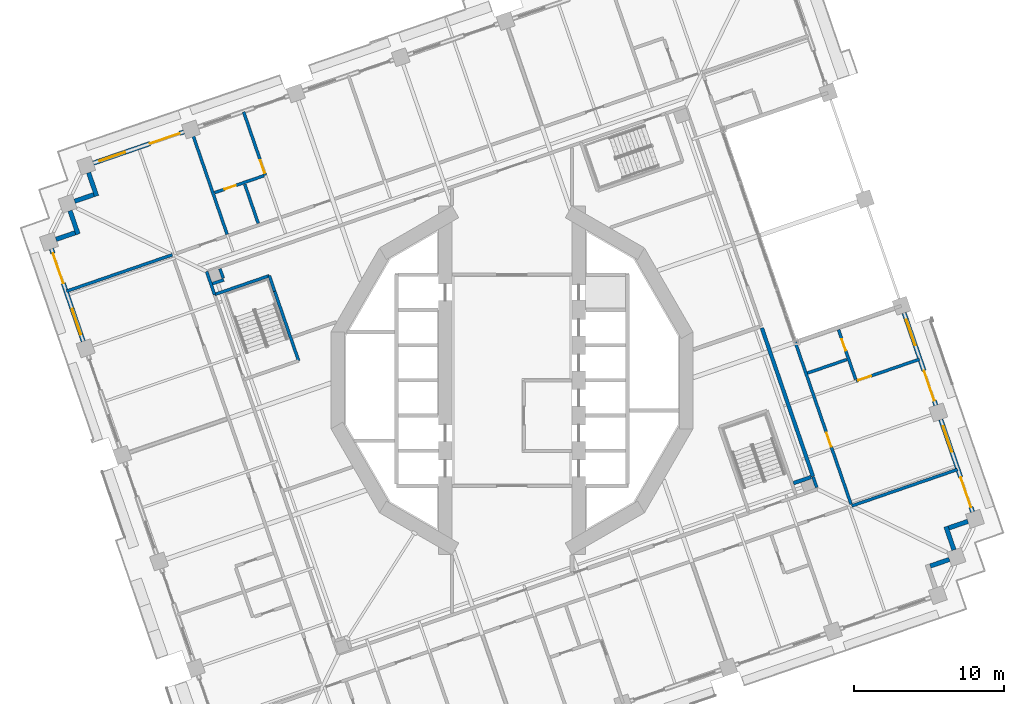
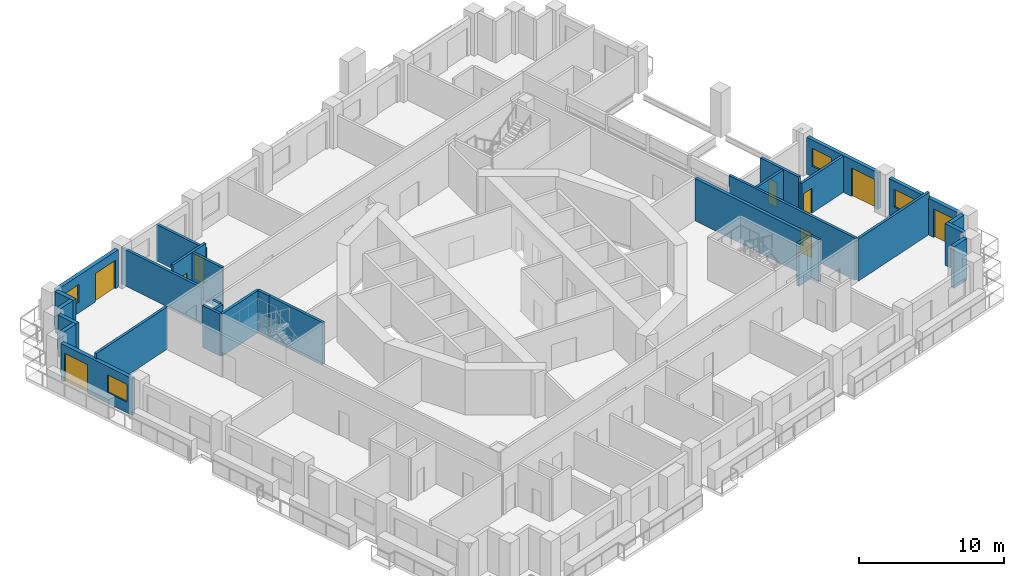
# One storey, part 10 of 19: 30 walls, 9 doors, 4 windows, 13 openings.
"""IFC4 building model written with IfcOpenShell, lengths in metres."""

from ifc_helpers import new_model, si_unit, direction, frame, frame_2d, origin, place, context, subcontext, project, spatial, rectangle, extrude, material, layer, layer_set, type_object, element, fill, save


model = new_model("IFC4")

# Units and contexts
model_context = context("Model", 3, precision=1e-05, world=origin(), true_north=direction((0.0, 1.0)))
body_context = subcontext(model_context, "Body", "Model", "MODEL_VIEW")
ifc_project = project(units=[si_unit("LENGTHUNIT", "METRE"), si_unit("AREAUNIT", "SQUARE_METRE"), si_unit("VOLUMEUNIT", "CUBIC_METRE"), si_unit("PLANEANGLEUNIT", "RADIAN"), si_unit("MASSUNIT", "GRAM", prefix="KILO")], contexts=[model_context])

# Site, building, storey
site_placement = place(None, origin())
site = spatial("IfcSite", under=ifc_project, at=site_placement, CompositionType="ELEMENT")
building_placement = place(site_placement, origin())
building = spatial("IfcBuilding", under=site, at=building_placement, Name="Cantera Rosa Tower", CompositionType="ELEMENT")
storey_placement = place(building_placement, frame((0.0, 0.0, 130.699951171875)))
storey = spatial("IfcBuildingStorey", under=building, at=storey_placement, Name="L27", CompositionType="ELEMENT", Elevation=130.699951171875)

# Walls
ifc_material_1 = material(Name="Gypsum board partition")
ifc_layer_1 = layer(ifc_material_1, 0.199951171875)
ifc_layer_set_1 = layer_set([ifc_layer_1], Name="CORRIDOR WALL 200 H3550")
wall_type_1 = type_object("IfcWallType", Name="CORRIDOR WALL 200 H3550", PredefinedType="PARTITIONING", material=ifc_layer_set_1)
wall_1_placement = place(storey_placement, frame((-20.37451171875, 7.262451171875, 0.0), z_axis=(0.0, 0.0, 1.0), x_axis=(0.325532736599, -0.945530770204, 0.0)))
element("IfcWall", 1, at=wall_1_placement, inside=storey, type_object=wall_type_1, Name="CORRIDOR WALL L27-003", PredefinedType="PARTITIONING", context=body_context, shape_type="SweptSolid", body=[
    extrude(rectangle(XDim=1.626708984375, YDim=0.199951171875, at=frame_2d((0.8134765625, 0.0))), origin(), (0.0, 0.0, 1.0), 3.550048828125),
])
wall_2_placement = place(storey_placement, frame((20.33544921875, -7.14892578125, 0.0), z_axis=(0.0, 0.0, 1.0), x_axis=(-0.32575306004, 0.945454887276, 0.0)))
element("IfcWall", 2, at=wall_2_placement, inside=storey, type_object=wall_type_1, Name="CORRIDOR WALL L27-095", PredefinedType="PARTITIONING", context=body_context, shape_type="SweptSolid", body=[
    extrude(rectangle(XDim=0.760009765625, YDim=0.199951171875, at=frame_2d((0.3798828125, 0.0))), origin(), (0.0, 0.0, 1.0), 3.550048828125),
])

# Wall, opening, door
wall_3_placement = place(storey_placement, frame((22.623291015625, -8.264892578125, 0.0), z_axis=(0.0, 0.0, 1.0), x_axis=(-0.325576165676, 0.945515817077, 0.0)))
wall_3 = element("IfcWall", 3, at=wall_3_placement, inside=storey, type_object=wall_type_1, Name="CORRIDOR WALL L27-098", PredefinedType="PARTITIONING", context=body_context, shape_type="SweptSolid", body=[
    extrude(rectangle(XDim=11.544921875, YDim=0.199951171875, at=frame_2d((5.7724609375, 0.0))), origin(), (0.0, 0.0, 1.0), 3.550048828125),
])
opening_1_placement = place(wall_3_placement, frame((4.050048828125, 0.0, 0.0)))
opening_1 = element("IfcOpeningElement", 4, at=opening_1_placement, cuts=wall_3, Name="Opening L27-015", PredefinedType="OPENING", context=body_context, shape_type="SweptSolid", body=[
    extrude(rectangle(XDim=1.0, YDim=2.10009765625, at=frame_2d((0.5, 1.050048828125))), frame((0.0, 0.10986328125, 0.0), z_axis=(0.0, -1.0, 0.0), x_axis=(1.0, 0.0, 0.0)), (0.0, 0.0, 1.0), 0.219970703125),
])
ifc_material_2 = material(Name="Timber door leaf", Category="wood")
door_type_1 = type_object("IfcDoorType", Name="ENTRANCE DOOR 1000x2100", OperationType="NOTDEFINED", PredefinedType="DOOR", material=ifc_material_2)
door_1_placement = place(opening_1_placement, origin())
door_1 = element("IfcDoor", 5, at=door_1_placement, inside=storey, type_object=door_type_1, Name="DOOR L27-015", OperationType="NOTDEFINED", OverallHeight=2.10009765625, OverallWidth=1.0, PredefinedType="DOOR", context=body_context, shape_type="SweptSolid", body=[
    extrude(rectangle(XDim=1.0, YDim=2.10009765625, at=frame_2d((0.5, 1.050048828125))), frame((0.0, 0.02490234375, 0.0), z_axis=(0.0, -1.0, 0.0), x_axis=(1.0, 0.0, 0.0)), (0.0, 0.0, 1.0), 0.050048828125),
])
fill(opening_1, door_1)

# Walls
ifc_material_3 = material(Name="Hollow clay masonry with cantera stone cladding", Category="masonry")
ifc_layer_2 = layer(ifc_material_3, 0.300048828125)
ifc_layer_set_2 = layer_set([ifc_layer_2], Name="EW-LOGGIA 300")
wall_type_2 = type_object("IfcWallType", Name="EW-LOGGIA 300", PredefinedType="SOLIDWALL", material=ifc_layer_set_2)
wall_4_placement = place(storey_placement, frame((-28.250732421875, 13.857421875, 0.0), z_axis=(0.0, 0.0, 1.0), x_axis=(0.325666906351, -0.945484566827, 0.0)))
element("IfcWall", 6, at=wall_4_placement, inside=storey, type_object=wall_type_2, Name="EN-L27-W14a", PredefinedType="SOLIDWALL", context=body_context, shape_type="SweptSolid", body=[
    extrude(rectangle(XDim=1.64990234375, YDim=0.300048828125, at=frame_2d((0.824951171875, 0.0))), origin(), (0.0, 0.0, 1.0), 3.5),
])
wall_5_placement = place(storey_placement, frame((-27.904052734375, 12.390380859375, 0.0), z_axis=(0.0, 0.0, 1.0), x_axis=(-0.945545797087, -0.325489086777, 0.0)))
element("IfcWall", 7, at=wall_5_placement, inside=storey, type_object=wall_type_2, Name="EN-L27-W14b", PredefinedType="SOLIDWALL", context=body_context, shape_type="SweptSolid", body=[
    extrude(rectangle(XDim=1.35009765625, YDim=0.300048828125, at=frame_2d((0.675048828125, 0.0))), origin(), (0.0, 0.0, 1.0), 3.5),
])
wall_6_placement = place(storey_placement, frame((-29.490478515625, 11.315185546875, 0.0), z_axis=(0.0, 0.0, 1.0), x_axis=(0.32553462645, -0.945530119553, 0.0)))
element("IfcWall", 8, at=wall_6_placement, inside=storey, type_object=wall_type_2, Name="EN-L27-W15a", PredefinedType="SOLIDWALL", context=body_context, shape_type="SweptSolid", body=[
    extrude(rectangle(XDim=1.64990234375, YDim=0.300048828125, at=frame_2d((0.824951171875, 0.0))), origin(), (0.0, 0.0, 1.0), 3.5),
])
wall_7_placement = place(storey_placement, frame((-29.14404296875, 9.84814453125, 0.0), z_axis=(0.0, 0.0, 1.0), x_axis=(-0.945526634763, -0.325544748006, 0.0)))
element("IfcWall", 9, at=wall_7_placement, inside=storey, type_object=wall_type_2, Name="EN-L27-W15b", PredefinedType="SOLIDWALL", context=body_context, shape_type="SweptSolid", body=[
    extrude(rectangle(XDim=1.349853515625, YDim=0.300048828125, at=frame_2d((0.6748046875, 0.0))), origin(), (0.0, 0.0, 1.0), 3.5),
])
wall_8_placement = place(storey_placement, frame((27.904052734375, -12.390380859375, 0.0), z_axis=(0.0, 0.0, 1.0), x_axis=(0.945545797087, 0.325489086777, 0.0)))
element("IfcWall", 10, at=wall_8_placement, inside=storey, type_object=wall_type_2, Name="EN-L27-W29b", PredefinedType="SOLIDWALL", context=body_context, shape_type="SweptSolid", body=[
    extrude(rectangle(XDim=1.35009765625, YDim=0.300048828125, at=frame_2d((0.675048828125, 0.0))), origin(), (0.0, 0.0, 1.0), 3.5),
])
wall_9_placement = place(storey_placement, frame((29.490478515625, -11.315185546875, 0.0), z_axis=(0.0, 0.0, 1.0), x_axis=(-0.32553462645, 0.945530119553, 0.0)))
element("IfcWall", 11, at=wall_9_placement, inside=storey, type_object=wall_type_2, Name="EN-L27-W30a", PredefinedType="SOLIDWALL", context=body_context, shape_type="SweptSolid", body=[
    extrude(rectangle(XDim=1.64990234375, YDim=0.300048828125, at=frame_2d((0.824951171875, 0.0))), origin(), (0.0, 0.0, 1.0), 3.5),
])
wall_10_placement = place(storey_placement, frame((29.14404296875, -9.84814453125, 0.0), z_axis=(0.0, 0.0, 1.0), x_axis=(0.945526634763, 0.325544748006, 0.0)))
element("IfcWall", 12, at=wall_10_placement, inside=storey, type_object=wall_type_2, Name="EN-L27-W30b", PredefinedType="SOLIDWALL", context=body_context, shape_type="SweptSolid", body=[
    extrude(rectangle(XDim=1.349853515625, YDim=0.300048828125, at=frame_2d((0.6748046875, 0.0))), origin(), (0.0, 0.0, 1.0), 3.5),
])

# Wall, openings, window, door
ifc_material_4 = material(Name="Hollow clay masonry with cantera stone cladding", Category="masonry")
ifc_layer_3 = layer(ifc_material_4, 0.300048828125)
ifc_layer_set_3 = layer_set([ifc_layer_3], Name="EW-LOGGIA 300 H3090")
wall_type_3 = type_object("IfcWallType", Name="EW-LOGGIA 300 H3090", PredefinedType="SOLIDWALL", material=ifc_layer_set_3)
wall_11_placement = place(storey_placement, frame((30.73046875, -8.773193359375, 0.0), z_axis=(0.0, 0.0, 1.0), x_axis=(-0.325580990241, 0.945514155787, 0.0)))
wall_11 = element("IfcWall", 13, at=wall_11_placement, inside=storey, type_object=wall_type_3, Name="EN-L27-W01", PredefinedType="SOLIDWALL", context=body_context, shape_type="SweptSolid", body=[
    extrude(rectangle(XDim=6.52001953125, YDim=0.300048828125, at=frame_2d((3.260009765625, 0.0))), origin(), (0.0, 0.0, 1.0), 3.090087890625),
])
opening_2_placement = place(wall_11_placement, frame((0.330078125, 0.0, 0.0)))
opening_2 = element("IfcOpeningElement", 14, at=opening_2_placement, cuts=wall_11, Name="Opening L27-TD01", PredefinedType="OPENING", context=body_context, shape_type="SweptSolid", body=[
    extrude(rectangle(XDim=2.10009765625, YDim=2.39990234375, at=frame_2d((1.050048828125, 1.199951171875))), frame((0.0, 0.159912109375, 0.0), z_axis=(0.0, -1.0, 0.0), x_axis=(1.0, 0.0, 0.0)), (0.0, 0.0, 1.0), 0.320068359375),
])
opening_3_placement = place(wall_11_placement, frame((4.239990234375, 0.0, 0.89990234375)))
opening_3 = element("IfcOpeningElement", 15, at=opening_3_placement, cuts=wall_11, Name="Opening L27-W02", PredefinedType="OPENING", context=body_context, shape_type="SweptSolid", body=[
    extrude(rectangle(XDim=1.800048828125, YDim=1.5, at=frame_2d((0.89990234375, 0.75))), frame((0.0, 0.159912109375, 0.0), z_axis=(0.0, -1.0, 0.0), x_axis=(1.0, 0.0, 0.0)), (0.0, 0.0, 1.0), 0.320068359375),
])
ifc_material_5 = material(Name="Aluminium frame with clear glass", Category="aluminium")
window_type = type_object("IfcWindowType", Name="Hotel room window 1800x1500", PartitioningType="DOUBLE_PANEL_VERTICAL", PredefinedType="WINDOW", material=ifc_material_5)
window_1_placement = place(opening_3_placement, origin())
window_1 = element("IfcWindow", 16, at=window_1_placement, inside=storey, type_object=window_type, Name="WINDOW L27-W02", OverallHeight=1.5, OverallWidth=1.800048828125, PartitioningType="SINGLE_PANEL", PredefinedType="WINDOW", context=body_context, shape_type="SweptSolid", body=[
    extrude(rectangle(XDim=1.800048828125, YDim=1.5, at=frame_2d((0.89990234375, 0.75))), frame((0.0, 0.030029296875, 0.0), z_axis=(0.0, -1.0, 0.0), x_axis=(1.0, 0.0, 0.0)), (0.0, 0.0, 1.0), 0.06005859375),
])
fill(opening_3, window_1)
ifc_material_6 = material(Name="Aluminium frame with clear glass", Category="aluminium")
door_type_2 = type_object("IfcDoorType", Name="TD-H 2100x2400", OperationType="NOTDEFINED", PredefinedType="DOOR", material=ifc_material_6)
door_2_placement = place(opening_2_placement, origin())
door_2 = element("IfcDoor", 17, at=door_2_placement, inside=storey, type_object=door_type_2, Name="LOGGIA DOOR L27-TD01", OperationType="SLIDING_TO_LEFT", OverallHeight=2.39990234375, OverallWidth=2.10009765625, PredefinedType="DOOR", context=body_context, shape_type="SweptSolid", body=[
    extrude(rectangle(XDim=2.10009765625, YDim=2.39990234375, at=frame_2d((1.050048828125, 1.199951171875))), frame((0.0, 0.02490234375, 0.0), z_axis=(0.0, -1.0, 0.0), x_axis=(1.0, 0.0, 0.0)), (0.0, 0.0, 1.0), 0.050048828125),
])
fill(opening_2, door_2)

wall_12_placement = place(storey_placement, frame((28.2822265625, -1.662841796875, 0.0), z_axis=(0.0, 0.0, 1.0), x_axis=(-0.325580990241, 0.945514155787, 0.0)))
wall_12 = element("IfcWall", 18, at=wall_12_placement, inside=storey, type_object=wall_type_3, Name="EN-L27-W02", PredefinedType="SOLIDWALL", context=body_context, shape_type="SweptSolid", body=[
    extrude(rectangle(XDim=6.52001953125, YDim=0.300048828125, at=frame_2d((3.260009765625, 0.0))), origin(), (0.0, 0.0, 1.0), 3.090087890625),
])
opening_4_placement = place(wall_12_placement, frame((0.330078125, 0.0, 0.0)))
opening_4 = element("IfcOpeningElement", 19, at=opening_4_placement, cuts=wall_12, Name="Opening L27-TD03", PredefinedType="OPENING", context=body_context, shape_type="SweptSolid", body=[
    extrude(rectangle(XDim=2.10009765625, YDim=2.39990234375, at=frame_2d((1.050048828125, 1.199951171875))), frame((0.0, 0.159912109375, 0.0), z_axis=(0.0, -1.0, 0.0), x_axis=(1.0, 0.0, 0.0)), (0.0, 0.0, 1.0), 0.320068359375),
])
opening_5_placement = place(wall_12_placement, frame((4.239990234375, 0.0, 0.89990234375)))
opening_5 = element("IfcOpeningElement", 20, at=opening_5_placement, cuts=wall_12, Name="Opening L27-W04", PredefinedType="OPENING", context=body_context, shape_type="SweptSolid", body=[
    extrude(rectangle(XDim=1.800048828125, YDim=1.5, at=frame_2d((0.89990234375, 0.75))), frame((0.0, 0.159912109375, 0.0), z_axis=(0.0, -1.0, 0.0), x_axis=(1.0, 0.0, 0.0)), (0.0, 0.0, 1.0), 0.320068359375),
])
window_2_placement = place(opening_5_placement, origin())
window_2 = element("IfcWindow", 21, at=window_2_placement, inside=storey, type_object=window_type, Name="WINDOW L27-W04", OverallHeight=1.5, OverallWidth=1.800048828125, PartitioningType="SINGLE_PANEL", PredefinedType="WINDOW", context=body_context, shape_type="SweptSolid", body=[
    extrude(rectangle(XDim=1.800048828125, YDim=1.5, at=frame_2d((0.89990234375, 0.75))), frame((0.0, 0.030029296875, 0.0), z_axis=(0.0, -1.0, 0.0), x_axis=(1.0, 0.0, 0.0)), (0.0, 0.0, 1.0), 0.06005859375),
])
fill(opening_5, window_2)
door_3_placement = place(opening_4_placement, origin())
door_3 = element("IfcDoor", 22, at=door_3_placement, inside=storey, type_object=door_type_2, Name="LOGGIA DOOR L27-TD03", OperationType="SLIDING_TO_LEFT", OverallHeight=2.39990234375, OverallWidth=2.10009765625, PredefinedType="DOOR", context=body_context, shape_type="SweptSolid", body=[
    extrude(rectangle(XDim=2.10009765625, YDim=2.39990234375, at=frame_2d((1.050048828125, 1.199951171875))), frame((0.0, 0.02490234375, 0.0), z_axis=(0.0, -1.0, 0.0), x_axis=(1.0, 0.0, 0.0)), (0.0, 0.0, 1.0), 0.050048828125),
])
fill(opening_4, door_3)

wall_13_placement = place(storey_placement, frame((-30.73046875, 8.773193359375, 0.0), z_axis=(0.0, 0.0, 1.0), x_axis=(0.325580990241, -0.945514155787, 0.0)))
wall_13 = element("IfcWall", 23, at=wall_13_placement, inside=storey, type_object=wall_type_3, Name="EN-L27-W16", PredefinedType="SOLIDWALL", context=body_context, shape_type="SweptSolid", body=[
    extrude(rectangle(XDim=6.52001953125, YDim=0.300048828125, at=frame_2d((3.260009765625, 0.0))), origin(), (0.0, 0.0, 1.0), 3.090087890625),
])
opening_6_placement = place(wall_13_placement, frame((0.330078125, 0.0, 0.0)))
opening_6 = element("IfcOpeningElement", 24, at=opening_6_placement, cuts=wall_13, Name="Opening L27-TD19", PredefinedType="OPENING", context=body_context, shape_type="SweptSolid", body=[
    extrude(rectangle(XDim=2.10009765625, YDim=2.39990234375, at=frame_2d((1.050048828125, 1.199951171875))), frame((0.0, 0.159912109375, 0.0), z_axis=(0.0, -1.0, 0.0), x_axis=(1.0, 0.0, 0.0)), (0.0, 0.0, 1.0), 0.320068359375),
])
opening_7_placement = place(wall_13_placement, frame((4.239990234375, 0.0, 0.89990234375)))
opening_7 = element("IfcOpeningElement", 25, at=opening_7_placement, cuts=wall_13, Name="Opening L27-W20", PredefinedType="OPENING", context=body_context, shape_type="SweptSolid", body=[
    extrude(rectangle(XDim=1.800048828125, YDim=1.5, at=frame_2d((0.89990234375, 0.75))), frame((0.0, 0.159912109375, 0.0), z_axis=(0.0, -1.0, 0.0), x_axis=(1.0, 0.0, 0.0)), (0.0, 0.0, 1.0), 0.320068359375),
])
window_3_placement = place(opening_7_placement, origin())
window_3 = element("IfcWindow", 26, at=window_3_placement, inside=storey, type_object=window_type, Name="WINDOW L27-W20", OverallHeight=1.5, OverallWidth=1.800048828125, PartitioningType="SINGLE_PANEL", PredefinedType="WINDOW", context=body_context, shape_type="SweptSolid", body=[
    extrude(rectangle(XDim=1.800048828125, YDim=1.5, at=frame_2d((0.89990234375, 0.75))), frame((0.0, 0.030029296875, 0.0), z_axis=(0.0, -1.0, 0.0), x_axis=(1.0, 0.0, 0.0)), (0.0, 0.0, 1.0), 0.06005859375),
])
fill(opening_7, window_3)
door_4_placement = place(opening_6_placement, origin())
door_4 = element("IfcDoor", 27, at=door_4_placement, inside=storey, type_object=door_type_2, Name="LOGGIA DOOR L27-TD19", OperationType="SLIDING_TO_LEFT", OverallHeight=2.39990234375, OverallWidth=2.10009765625, PredefinedType="DOOR", context=body_context, shape_type="SweptSolid", body=[
    extrude(rectangle(XDim=2.10009765625, YDim=2.39990234375, at=frame_2d((1.050048828125, 1.199951171875))), frame((0.0, 0.02490234375, 0.0), z_axis=(0.0, -1.0, 0.0), x_axis=(1.0, 0.0, 0.0)), (0.0, 0.0, 1.0), 0.050048828125),
])
fill(opening_6, door_4)

ifc_material_7 = material(Name="Hollow clay masonry with cantera stone cladding", Category="masonry")
ifc_layer_4 = layer(ifc_material_7, 0.300048828125)
ifc_layer_set_4 = layer_set([ifc_layer_4], Name="EW-LOGGIA 300 H3140")
wall_type_4 = type_object("IfcWallType", Name="EW-LOGGIA 300 H3140", PredefinedType="SOLIDWALL", material=ifc_layer_set_4)
wall_14_placement = place(storey_placement, frame((-21.889404296875, 16.57666015625, 0.0), z_axis=(0.0, 0.0, 1.0), x_axis=(-0.945512753621, -0.325585062219, 0.0)))
wall_14 = element("IfcWall", 28, at=wall_14_placement, inside=storey, type_object=wall_type_4, Name="EN-L27-W13", PredefinedType="SOLIDWALL", context=body_context, shape_type="SweptSolid", body=[
    extrude(rectangle(XDim=6.39990234375, YDim=0.300048828125, at=frame_2d((3.199951171875, 0.0))), origin(), (0.0, 0.0, 1.0), 3.14013671875),
])
opening_8_placement = place(wall_14_placement, frame((0.300048828125, 0.0, 0.0)))
opening_8 = element("IfcOpeningElement", 29, at=opening_8_placement, cuts=wall_14, Name="Opening L27-TD17", PredefinedType="OPENING", context=body_context, shape_type="SweptSolid", body=[
    extrude(rectangle(XDim=2.10009765625, YDim=2.39990234375, at=frame_2d((1.050048828125, 1.199951171875))), frame((0.0, 0.159912109375, 0.0), z_axis=(0.0, -1.0, 0.0), x_axis=(1.0, 0.0, 0.0)), (0.0, 0.0, 1.0), 0.320068359375),
])
opening_9_placement = place(wall_14_placement, frame((4.14990234375, 0.0, 0.89990234375)))
opening_9 = element("IfcOpeningElement", 30, at=opening_9_placement, cuts=wall_14, Name="Opening L27-W18", PredefinedType="OPENING", context=body_context, shape_type="SweptSolid", body=[
    extrude(rectangle(XDim=1.800048828125, YDim=1.5, at=frame_2d((0.89990234375, 0.75))), frame((0.0, 0.159912109375, 0.0), z_axis=(0.0, -1.0, 0.0), x_axis=(1.0, 0.0, 0.0)), (0.0, 0.0, 1.0), 0.320068359375),
])
window_4_placement = place(opening_9_placement, origin())
window_4 = element("IfcWindow", 31, at=window_4_placement, inside=storey, type_object=window_type, Name="WINDOW L27-W18", OverallHeight=1.5, OverallWidth=1.800048828125, PartitioningType="SINGLE_PANEL", PredefinedType="WINDOW", context=body_context, shape_type="SweptSolid", body=[
    extrude(rectangle(XDim=1.800048828125, YDim=1.5, at=frame_2d((0.89990234375, 0.75))), frame((0.0, 0.030029296875, 0.0), z_axis=(0.0, -1.0, 0.0), x_axis=(1.0, 0.0, 0.0)), (0.0, 0.0, 1.0), 0.06005859375),
])
fill(opening_9, window_4)
door_5_placement = place(opening_8_placement, origin())
door_5 = element("IfcDoor", 32, at=door_5_placement, inside=storey, type_object=door_type_2, Name="LOGGIA DOOR L27-TD17", OperationType="SLIDING_TO_LEFT", OverallHeight=2.39990234375, OverallWidth=2.10009765625, PredefinedType="DOOR", context=body_context, shape_type="SweptSolid", body=[
    extrude(rectangle(XDim=2.10009765625, YDim=2.39990234375, at=frame_2d((1.050048828125, 1.199951171875))), frame((0.0, 0.02490234375, 0.0), z_axis=(0.0, -1.0, 0.0), x_axis=(1.0, 0.0, 0.0)), (0.0, 0.0, 1.0), 0.050048828125),
])
fill(opening_8, door_5)

# Wall, opening, door
ifc_material_8 = material(Name="Gypsum board partition")
ifc_layer_5 = layer(ifc_material_8, 0.199951171875)
ifc_layer_set_5 = layer_set([ifc_layer_5], Name="PARTITION 200 H3050")
wall_type_5 = type_object("IfcWallType", Name="PARTITION 200 H3050", PredefinedType="PARTITIONING", material=ifc_layer_set_5)
wall_15_placement = place(storey_placement, frame((-17.908447265625, 17.915771484375, 0.0), z_axis=(0.0, 0.0, 1.0), x_axis=(0.325568171973, -0.945518569568, 0.0)))
wall_15 = element("IfcWall", 33, at=wall_15_placement, inside=storey, type_object=wall_type_5, Name="PARTITION L27-011", PredefinedType="PARTITIONING", context=body_context, shape_type="SweptSolid", body=[
    extrude(rectangle(XDim=4.47021484375, YDim=0.199951171875, at=frame_2d((2.235107421875, 0.0))), origin(), (0.0, 0.0, 1.0), 3.050048828125),
])
opening_10_placement = place(wall_15_placement, frame((3.419921875, 0.0, 0.0)))
opening_10 = element("IfcOpeningElement", 34, at=opening_10_placement, cuts=wall_15, Name="Opening L27-022", PredefinedType="OPENING", context=body_context, shape_type="SweptSolid", body=[
    extrude(rectangle(XDim=0.89990234375, YDim=2.10009765625, at=frame_2d((0.449951171875, 1.050048828125))), frame((0.0, 0.10986328125, 0.0), z_axis=(0.0, -1.0, 0.0), x_axis=(1.0, 0.0, 0.0)), (0.0, 0.0, 1.0), 0.219970703125),
])
ifc_material_9 = material(Name="Timber door leaf", Category="wood")
door_type_3 = type_object("IfcDoorType", Name="ROOM DOOR 900x2100", OperationType="NOTDEFINED", PredefinedType="DOOR", material=ifc_material_9)
door_6_placement = place(opening_10_placement, origin())
door_6 = element("IfcDoor", 35, at=door_6_placement, inside=storey, type_object=door_type_3, Name="DOOR L27-022", OperationType="NOTDEFINED", OverallHeight=2.10009765625, OverallWidth=0.89990234375, PredefinedType="DOOR", context=body_context, shape_type="SweptSolid", body=[
    extrude(rectangle(XDim=0.89990234375, YDim=2.10009765625, at=frame_2d((0.449951171875, 1.050048828125))), frame((0.0, 0.02490234375, 0.0), z_axis=(0.0, -1.0, 0.0), x_axis=(1.0, 0.0, 0.0)), (0.0, 0.0, 1.0), 0.050048828125),
])
fill(opening_10, door_6)

wall_16_placement = place(storey_placement, frame((27.1923828125, 1.409912109375, 0.0), z_axis=(0.0, 0.0, 1.0), x_axis=(-0.945512780078, -0.325584985388, 0.0)))
wall_16 = element("IfcWall", 36, at=wall_16_placement, inside=storey, type_object=wall_type_5, Name="PARTITION L27-104", PredefinedType="PARTITIONING", context=body_context, shape_type="SweptSolid", body=[
    extrude(rectangle(XDim=4.469970703125, YDim=0.199951171875, at=frame_2d((2.23486328125, 0.0))), origin(), (0.0, 0.0, 1.0), 3.050048828125),
])
opening_11_placement = place(wall_16_placement, frame((3.419921875, 0.0, 0.0)))
opening_11 = element("IfcOpeningElement", 37, at=opening_11_placement, cuts=wall_16, Name="Opening L27-016", PredefinedType="OPENING", context=body_context, shape_type="SweptSolid", body=[
    extrude(rectangle(XDim=0.89990234375, YDim=2.10009765625, at=frame_2d((0.449951171875, 1.050048828125))), frame((0.0, 0.10986328125, 0.0), z_axis=(0.0, -1.0, 0.0), x_axis=(1.0, 0.0, 0.0)), (0.0, 0.0, 1.0), 0.219970703125),
])
door_7_placement = place(opening_11_placement, origin())
door_7 = element("IfcDoor", 38, at=door_7_placement, inside=storey, type_object=door_type_3, Name="DOOR L27-016", OperationType="NOTDEFINED", OverallHeight=2.10009765625, OverallWidth=0.89990234375, PredefinedType="DOOR", context=body_context, shape_type="SweptSolid", body=[
    extrude(rectangle(XDim=0.89990234375, YDim=2.10009765625, at=frame_2d((0.449951171875, 1.050048828125))), frame((0.0, 0.02490234375, 0.0), z_axis=(0.0, -1.0, 0.0), x_axis=(1.0, 0.0, 0.0)), (0.0, 0.0, 1.0), 0.050048828125),
])
fill(opening_11, door_7)

# Walls
ifc_material_10 = material(Name="Gypsum board partition")
ifc_layer_6 = layer(ifc_material_10, 0.199951171875)
ifc_layer_set_6 = layer_set([ifc_layer_6], Name="PARTITION 200 H3550")
wall_type_6 = type_object("IfcWallType", Name="PARTITION 200 H3550", PredefinedType="PARTITIONING", material=ifc_layer_set_6)
wall_17_placement = place(storey_placement, frame((-22.662353515625, 8.37841796875, 0.0), z_axis=(0.0, 0.0, 1.0), x_axis=(-0.945512517373, -0.325585748291, 0.0)))
element("IfcWall", 39, at=wall_17_placement, inside=storey, type_object=wall_type_6, Name="PARTITION L27-001", PredefinedType="PARTITIONING", context=body_context, shape_type="SweptSolid", body=[
    extrude(rectangle(XDim=7.469970703125, YDim=0.199951171875, at=frame_2d((3.73486328125, 0.0))), origin(), (0.0, 0.0, 1.0), 3.550048828125),
])
wall_18_placement = place(storey_placement, frame((-19.98681640625, 6.444091796875, 0.0), z_axis=(0.0, 0.0, 1.0), x_axis=(0.945586856903, 0.325369783557, 0.0)))
element("IfcWall", 40, at=wall_18_placement, inside=storey, type_object=wall_type_6, Name="PARTITION L27-004", PredefinedType="PARTITIONING", context=body_context, shape_type="SweptSolid", body=[
    extrude(rectangle(XDim=0.7998046875, YDim=0.199951171875, at=frame_2d((0.39990234375, 0.0))), origin(), (0.0, 0.0, 1.0), 3.550048828125),
])
wall_19_placement = place(storey_placement, frame((-19.26953125, 6.81787109375, 0.0), z_axis=(0.0, 0.0, 1.0), x_axis=(-0.32553462645, 0.945530119553, 0.0)))
element("IfcWall", 41, at=wall_19_placement, inside=storey, type_object=wall_type_6, Name="PARTITION L27-007", PredefinedType="PARTITIONING", context=body_context, shape_type="SweptSolid", body=[
    extrude(rectangle(XDim=0.659912109375, YDim=0.199951171875, at=frame_2d((0.330078125, 0.0))), origin(), (0.0, 0.0, 1.0), 3.550048828125),
])
wall_20_placement = place(storey_placement, frame((-17.83251953125, 13.08740234375, 0.0), z_axis=(0.0, 0.0, 1.0), x_axis=(0.325606281984, -0.945505446379, 0.0)))
element("IfcWall", 42, at=wall_20_placement, inside=storey, type_object=wall_type_6, Name="PARTITION L27-014", PredefinedType="PARTITIONING", context=body_context, shape_type="SweptSolid", body=[
    extrude(rectangle(XDim=2.760009765625, YDim=0.199951171875, at=frame_2d((1.3798828125, 0.0))), origin(), (0.0, 0.0, 1.0), 3.550048828125),
])

# Wall, opening, door
wall_21_placement = place(storey_placement, frame((-16.547607421875, 13.656494140625, 0.0), z_axis=(0.0, 0.0, 1.0), x_axis=(-0.945536877918, -0.325514995811, 0.0)))
wall_21 = element("IfcWall", 43, at=wall_21_placement, inside=storey, type_object=wall_type_6, Name="PARTITION L27-016", PredefinedType="PARTITIONING", context=body_context, shape_type="SweptSolid", body=[
    extrude(rectangle(XDim=3.47998046875, YDim=0.199951171875, at=frame_2d((1.739990234375, 0.0))), origin(), (0.0, 0.0, 1.0), 3.550048828125),
])
opening_12_placement = place(wall_21_placement, frame((1.989990234375, 0.0, 0.0)))
opening_12 = element("IfcOpeningElement", 44, at=opening_12_placement, cuts=wall_21, Name="Opening L27-023", PredefinedType="OPENING", context=body_context, shape_type="SweptSolid", body=[
    extrude(rectangle(XDim=0.800048828125, YDim=2.10009765625, at=frame_2d((0.39990234375, 1.050048828125))), frame((0.0, 0.10986328125, 0.0), z_axis=(0.0, -1.0, 0.0), x_axis=(1.0, 0.0, 0.0)), (0.0, 0.0, 1.0), 0.219970703125),
])
ifc_material_11 = material(Name="Timber door leaf", Category="wood")
door_type_4 = type_object("IfcDoorType", Name="BATHROOM DOOR 800x2100", OperationType="NOTDEFINED", PredefinedType="DOOR", material=ifc_material_11)
door_8_placement = place(opening_12_placement, origin())
door_8 = element("IfcDoor", 45, at=door_8_placement, inside=storey, type_object=door_type_4, Name="DOOR L27-023", OperationType="NOTDEFINED", OverallHeight=2.10009765625, OverallWidth=0.800048828125, PredefinedType="DOOR", context=body_context, shape_type="SweptSolid", body=[
    extrude(rectangle(XDim=0.800048828125, YDim=2.10009765625, at=frame_2d((0.39990234375, 1.050048828125))), frame((0.0, 0.02490234375, 0.0), z_axis=(0.0, -1.0, 0.0), x_axis=(1.0, 0.0, 0.0)), (0.0, 0.0, 1.0), 0.050048828125),
])
fill(opening_12, door_8)

# Wall
wall_22_placement = place(storey_placement, frame((22.3447265625, 1.390380859375, 0.0), z_axis=(0.0, 0.0, 1.0), x_axis=(-0.945528723608, -0.325538681008, 0.0)))
element("IfcWall", 46, at=wall_22_placement, inside=storey, type_object=wall_type_6, Name="PARTITION L27-097", PredefinedType="PARTITIONING", context=body_context, shape_type="SweptSolid", body=[
    extrude(rectangle(XDim=2.780029296875, YDim=0.199951171875, at=frame_2d((1.39013671875, 0.0))), origin(), (0.0, 0.0, 1.0), 3.550048828125),
])

# Wall, opening, door
wall_23_placement = place(storey_placement, frame((22.927001953125, 0.068115234375, 0.0), z_axis=(0.0, 0.0, 1.0), x_axis=(-0.325574193534, 0.945516496157, 0.0)))
wall_23 = element("IfcWall", 47, at=wall_23_placement, inside=storey, type_object=wall_type_6, Name="PARTITION L27-103", PredefinedType="PARTITIONING", context=body_context, shape_type="SweptSolid", body=[
    extrude(rectangle(XDim=3.5048828125, YDim=0.199951171875, at=frame_2d((1.75244140625, 0.0))), origin(), (0.0, 0.0, 1.0), 3.550048828125),
])
opening_13_placement = place(wall_23_placement, frame((2.030029296875, 0.0, 0.0)))
opening_13 = element("IfcOpeningElement", 48, at=opening_13_placement, cuts=wall_23, Name="Opening L27-017", PredefinedType="OPENING", context=body_context, shape_type="SweptSolid", body=[
    extrude(rectangle(XDim=0.800048828125, YDim=2.10009765625, at=frame_2d((0.39990234375, 1.050048828125))), frame((0.0, 0.10986328125, 0.0), z_axis=(0.0, -1.0, 0.0), x_axis=(1.0, 0.0, 0.0)), (0.0, 0.0, 1.0), 0.219970703125),
])
door_9_placement = place(opening_13_placement, origin())
door_9 = element("IfcDoor", 49, at=door_9_placement, inside=storey, type_object=door_type_4, Name="DOOR L27-017", OperationType="NOTDEFINED", OverallHeight=2.10009765625, OverallWidth=0.800048828125, PredefinedType="DOOR", context=body_context, shape_type="SweptSolid", body=[
    extrude(rectangle(XDim=0.800048828125, YDim=2.10009765625, at=frame_2d((0.39990234375, 1.050048828125))), frame((0.0, 0.02490234375, 0.0), z_axis=(0.0, -1.0, 0.0), x_axis=(1.0, 0.0, 0.0)), (0.0, 0.0, 1.0), 0.050048828125),
])
fill(opening_13, door_9)

# Walls
ifc_material_12 = material(Name="Gypsum board partition")
ifc_layer_7 = layer(ifc_material_12, 0.199951171875)
ifc_layer_set_7 = layer_set([ifc_layer_7], Name="PARTY WALL 200 H3050")
wall_type_7 = type_object("IfcWallType", Name="PARTY WALL 200 H3050", PredefinedType="PARTITIONING", material=ifc_layer_set_7)
wall_24_placement = place(storey_placement, frame((-19.00732421875, 9.74267578125, 0.0), z_axis=(0.0, 0.0, 1.0), x_axis=(-0.325603730276, 0.945506325114, 0.0)))
element("IfcWall", 50, at=wall_24_placement, inside=storey, type_object=wall_type_7, Name="PARTY WALL L27-008", PredefinedType="PARTITIONING", context=body_context, shape_type="SweptSolid", body=[
    extrude(rectangle(XDim=7.369873046875, YDim=0.199951171875, at=frame_2d((3.68505859375, 0.0))), origin(), (0.0, 0.0, 1.0), 3.050048828125),
])
ifc_material_13 = material(Name="Gypsum board partition")
ifc_layer_8 = layer(ifc_material_13, 0.199951171875)
ifc_layer_set_8 = layer_set([ifc_layer_8], Name="PARTY WALL 200 H3550")
wall_type_8 = type_object("IfcWallType", Name="PARTY WALL 200 H3550", PredefinedType="PARTITIONING", material=ifc_layer_set_8)
wall_25_placement = place(storey_placement, frame((29.725341796875, -5.9462890625, 0.0), z_axis=(0.0, 0.0, 1.0), x_axis=(-0.945512517373, -0.325585748291, 0.0)))
element("IfcWall", 51, at=wall_25_placement, inside=storey, type_object=wall_type_8, Name="PARTY WALL L27-105", PredefinedType="PARTITIONING", context=body_context, shape_type="SweptSolid", body=[
    extrude(rectangle(XDim=7.469970703125, YDim=0.199951171875, at=frame_2d((3.73486328125, 0.0))), origin(), (0.0, 0.0, 1.0), 3.550048828125),
])
ifc_material_14 = material(Name="Masonry blockwork", Category="masonry")
ifc_layer_9 = layer(ifc_material_14, 0.25)
ifc_layer_set_9 = layer_set([ifc_layer_9], Name="SHAFT WALL 250 H3550")
wall_type_9 = type_object("IfcWallType", Name="SHAFT WALL 250 H3550", PredefinedType="SOLIDWALL", material=ifc_layer_set_9)
wall_26_placement = place(storey_placement, frame((20.081298828125, -6.411376953125, 0.0), z_axis=(0.0, 0.0, 1.0), x_axis=(-0.325563471728, 0.945520187979, 0.0)))
element("IfcWall", 52, at=wall_26_placement, inside=storey, type_object=wall_type_9, Name="SHAFT WALL L27-093", PredefinedType="SOLIDWALL", context=body_context, shape_type="SweptSolid", body=[
    extrude(rectangle(XDim=10.47998046875, YDim=0.25, at=frame_2d((5.239990234375, 0.0))), origin(), (0.0, 0.0, 1.0), 3.550048828125),
])
wall_27_placement = place(storey_placement, frame((19.94921875, -6.45703125, 0.0), z_axis=(0.0, 0.0, 1.0), x_axis=(-0.945538581865, -0.325510046241, 0.0)))
element("IfcWall", 53, at=wall_27_placement, inside=storey, type_object=wall_type_9, Name="SHAFT WALL L27-094", PredefinedType="SOLIDWALL", context=body_context, shape_type="SweptSolid", body=[
    extrude(rectangle(XDim=1.23681640625, YDim=0.25, at=frame_2d((0.618408203125, 0.0))), origin(), (0.0, 0.0, 1.0), 3.550048828125),
])
ifc_material_15 = material(Name="Concrete C50/60", Category="concrete")
ifc_layer_10 = layer(ifc_material_15, 0.199951171875)
ifc_layer_set_10 = layer_set([ifc_layer_10], Name="STAIR WALL 200 H3550")
wall_type_10 = type_object("IfcWallType", Name="STAIR WALL 200 H3550", PredefinedType="SOLIDWALL", material=ifc_layer_set_10)
wall_28_placement = place(storey_placement, frame((-16.193115234375, 6.98193359375, 0.0), z_axis=(0.0, 0.0, 1.0), x_axis=(-0.945507920529, -0.325599097382, 0.0)))
element("IfcWall", 54, at=wall_28_placement, inside=storey, type_object=wall_type_10, Name="STAIR WALL L27-017", PredefinedType="SOLIDWALL", context=body_context, shape_type="SweptSolid", body=[
    extrude(rectangle(XDim=3.8623046875, YDim=0.199951171875, at=frame_2d((1.93115234375, 0.0))), origin(), (0.0, 0.0, 1.0), 3.550048828125),
])
wall_29_placement = place(storey_placement, frame((-14.239501953125, 1.308837890625, 0.0), z_axis=(0.0, 0.0, 1.0), x_axis=(-0.325599106316, 0.945507917453, 0.0)))
element("IfcWall", 55, at=wall_29_placement, inside=storey, type_object=wall_type_10, Name="STAIR WALL L27-020", PredefinedType="SOLIDWALL", context=body_context, shape_type="SweptSolid", body=[
    extrude(rectangle(XDim=4.900146484375, YDim=0.199951171875, at=frame_2d((2.4501953125, 0.0))), origin(), (0.0, 0.0, 1.0), 3.550048828125),
])
wall_30_placement = place(storey_placement, frame((-15.8349609375, 5.94189453125, 0.0), z_axis=(0.0, 0.0, 1.0), x_axis=(-0.325600768791, 0.945507344955, 0.0)))
element("IfcWall", 56, at=wall_30_placement, inside=storey, type_object=wall_type_10, Name="STAIR WALL L27-020 J", PredefinedType="SOLIDWALL", context=body_context, shape_type="SweptSolid", body=[
    extrude(rectangle(XDim=1.10009765625, YDim=0.199951171875, at=frame_2d((0.550048828125, 0.0))), origin(), (0.0, 0.0, 1.0), 3.550048828125),
])

save(model, "model.ifc")
